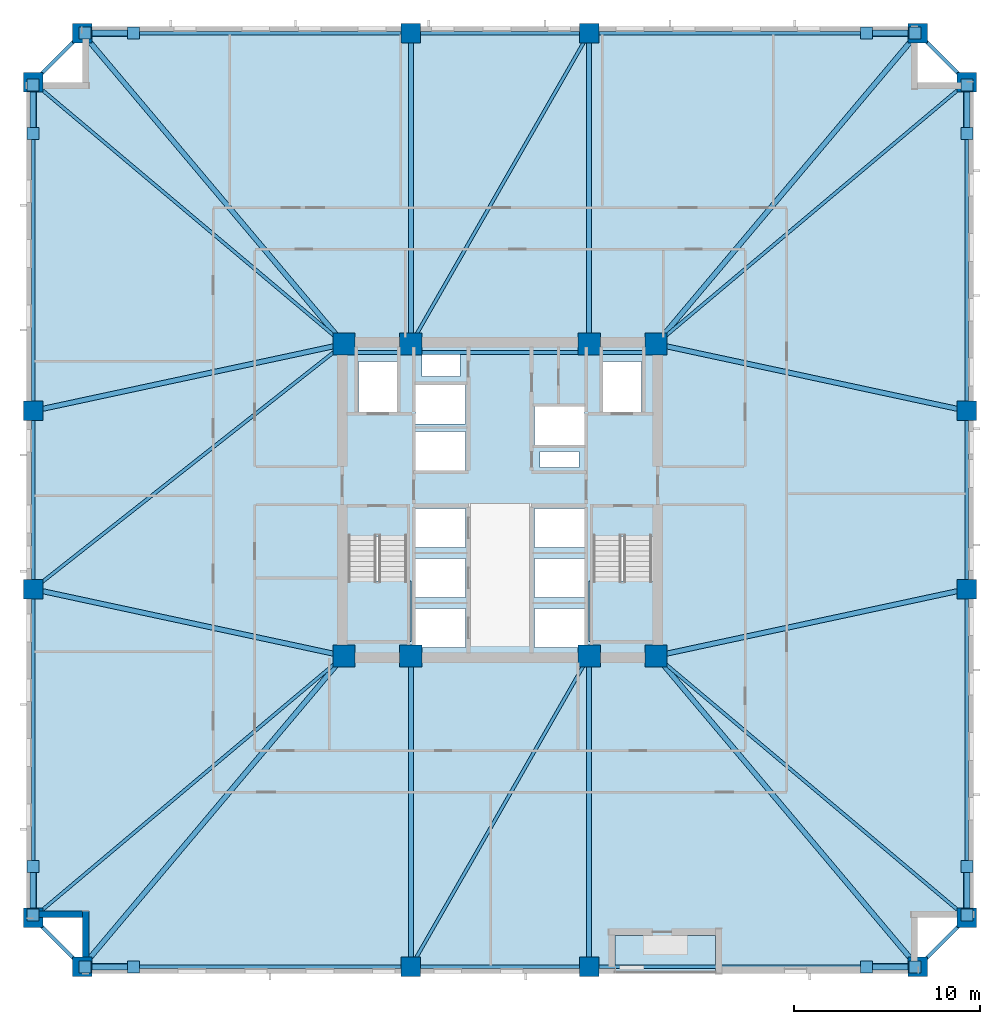
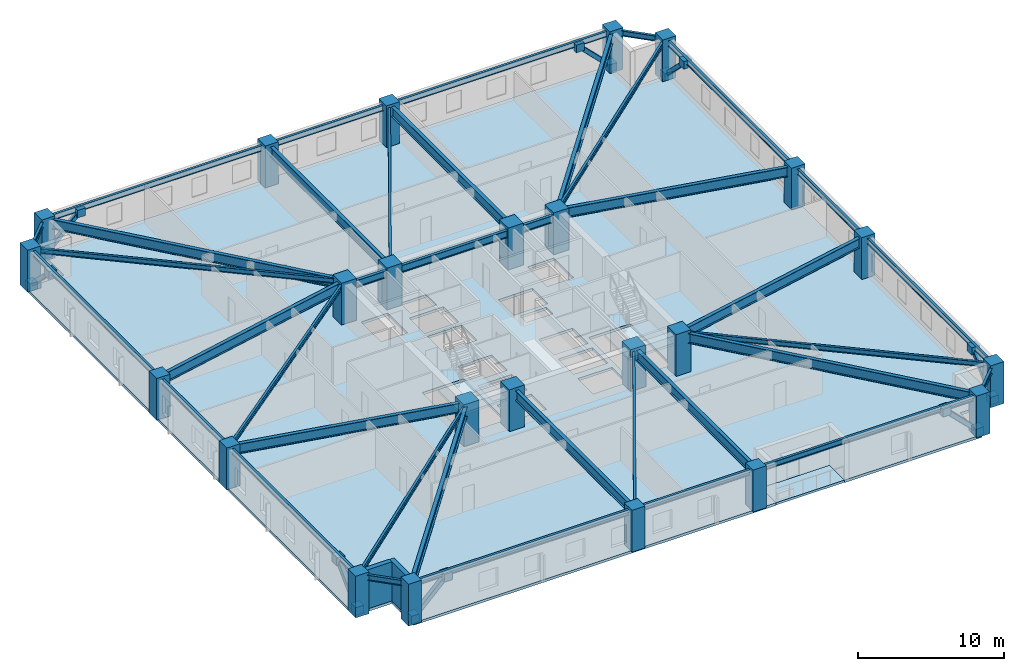
# One storey, part 1 of 11: 38 beams, 24 columns, 16 plates, 8 members, 4 slabs, 2 walls, 2 elements without a shape of their own.
"""IFC4 building model written with IfcOpenShell, lengths in metres."""

from ifc_helpers import new_model, si_unit, direction, frame, frame_2d, origin, origin_2d, place, context, subcontext, project, spatial, polyline, rectangle, hollow_rectangle, i_section, outline, extrude, material, layer, layer_set, material_profile, profile_set, type_object, element, aggregate, save


model = new_model("IFC4")

# Units and contexts
model_context = context("Model", 3, precision=1e-05, world=origin(), true_north=direction((0.0, 1.0)))
body_context = subcontext(model_context, "Body", "Model", "MODEL_VIEW")
ifc_project = project(units=[si_unit("LENGTHUNIT", "METRE"), si_unit("AREAUNIT", "SQUARE_METRE"), si_unit("VOLUMEUNIT", "CUBIC_METRE"), si_unit("PLANEANGLEUNIT", "RADIAN"), si_unit("MASSUNIT", "GRAM", prefix="KILO")], contexts=[model_context])

# Site, building, storey
site_placement = place(None, origin())
site = spatial("IfcSite", under=ifc_project, at=site_placement, CompositionType="ELEMENT")
building_placement = place(site_placement, origin())
building = spatial("IfcBuilding", under=site, at=building_placement, Name="Cairnveth Concourse Tower", CompositionType="ELEMENT")
storey_placement = place(building_placement, frame((0.0, 0.0, 48.0)))
storey = spatial("IfcBuildingStorey", under=building, at=storey_placement, Name="L12", CompositionType="ELEMENT", Elevation=48.0)

# Columns
ifc_material_1 = material(Name="Concrete N80 (80 MPa)", Category="concrete")
ifc_material_profile_1 = material_profile(ifc_material_1, rectangle(XDim=1.199951171875, YDim=1.199951171875, at=origin_2d()), Name="RC-COL-1200x1200")
ifc_profile_set_1 = profile_set([ifc_material_profile_1], Name="Concrete N80 (80 MPa)")
column_type_1 = type_object("IfcColumnType", Name="CORE COLUMN 1200X1200", PredefinedType="COLUMN", material=ifc_profile_set_1)
for number, where, z_axis, x_axis, name in (
    (1, (43.60009765625, 30.60009765625, 0.0), (0.0, 0.0, 1.0), (1.0, 0.0, 0.0), "Column CC1 L12"),
    (2, (47.199951171875, 30.60009765625, 0.0), (0.0, 0.0, 1.0), (1.0, 0.0, 0.0), "Column CC2 L12"),
    (3, (56.800048828125, 30.60009765625, 0.0), (0.0, 0.0, 1.0), (1.0, 0.0, 0.0), "Column CC3 L12"),
    (4, (60.39990234375, 30.60009765625, 0.0), (0.0, 0.0, 1.0), (1.0, 0.0, 0.0), "Column CC4 L12"),
    (5, (43.60009765625, 47.39990234375, 0.0), (0.0, 0.0, 1.0), (1.0, 0.0, 0.0), "Column CC5 L12"),
    (6, (47.199951171875, 47.39990234375, 0.0), (0.0, 0.0, 1.0), (1.0, 0.0, 0.0), "Column CC6 L12"),
    (7, (56.800048828125, 47.39990234375, 0.0), (0.0, 0.0, 1.0), (1.0, 0.0, 0.0), "Column CC7 L12"),
    (8, (60.39990234375, 47.39990234375, 0.0), (0.0, 0.0, 1.0), (1.0, 0.0, 0.0), "Column CC8 L12"),
):
    element("IfcColumn", number, at=place(storey_placement, frame(where, z_axis=z_axis, x_axis=x_axis)), inside=storey, type_object=column_type_1, Name=name, PredefinedType="COLUMN", context=body_context, shape_type="SweptSolid", body=[
        extrude(rectangle(XDim=1.199951171875, YDim=1.199951171875, at=origin_2d()), origin(), (0.0, 0.0, 1.0), 3.5),
    ])
ifc_material_2 = material(Name="Concrete N65 (65 MPa)", Category="concrete")
ifc_material_profile_2 = material_profile(ifc_material_2, rectangle(XDim=1.050048828125, YDim=1.050048828125, at=origin_2d()), Name="RC-COL-1050x1050")
ifc_profile_set_2 = profile_set([ifc_material_profile_2], Name="Concrete N65 (65 MPa)")
column_type_2 = type_object("IfcColumnType", Name="PERIMETER PIER COLUMN 1050X1050", PredefinedType="COLUMN", material=ifc_profile_set_2)
for number, where, z_axis, x_axis, name in (
    (9, (29.5, 13.85009765625, 0.0), (0.0, 0.0, 1.0), (1.0, 0.0, 0.0), "Column P-S1 L12"),
    (10, (47.199951171875, 13.85009765625, 0.0), (0.0, 0.0, 1.0), (1.0, 0.0, 0.0), "Column P-S2 L12"),
    (11, (56.800048828125, 13.85009765625, 0.0), (0.0, 0.0, 1.0), (1.0, 0.0, 0.0), "Column P-S3 L12"),
    (12, (74.5, 13.85009765625, 0.0), (0.0, 0.0, 1.0), (1.0, 0.0, 0.0), "Column P-S4 L12"),
    (13, (77.14990234375, 16.5, 0.0), (0.0, 0.0, 1.0), (0.0, 1.0, 0.0), "Column P-E1 L12"),
    (14, (77.14990234375, 34.199951171875, 0.0), (0.0, 0.0, 1.0), (0.0, 1.0, 0.0), "Column P-E2 L12"),
    (15, (77.14990234375, 43.800048828125, 0.0), (0.0, 0.0, 1.0), (0.0, 1.0, 0.0), "Column P-E3 L12"),
    (16, (77.14990234375, 61.5, 0.0), (0.0, 0.0, 1.0), (0.0, 1.0, 0.0), "Column P-E4 L12"),
    (17, (74.5, 64.14990234375, 0.0), (0.0, 0.0, 1.0), (1.0, 0.0, 0.0), "Column P-N1 L12"),
    (18, (56.800048828125, 64.14990234375, 0.0), (0.0, 0.0, 1.0), (1.0, 0.0, 0.0), "Column P-N2 L12"),
    (19, (47.199951171875, 64.14990234375, 0.0), (0.0, 0.0, 1.0), (1.0, 0.0, 0.0), "Column P-N3 L12"),
    (20, (29.5, 64.14990234375, 0.0), (0.0, 0.0, 1.0), (1.0, 0.0, 0.0), "Column P-N4 L12"),
    (21, (26.85009765625, 61.5, 0.0), (0.0, 0.0, 1.0), (0.0, 1.0, 0.0), "Column P-W1 L12"),
    (22, (26.85009765625, 43.800048828125, 0.0), (0.0, 0.0, 1.0), (0.0, 1.0, 0.0), "Column P-W2 L12"),
    (23, (26.85009765625, 34.199951171875, 0.0), (0.0, 0.0, 1.0), (0.0, 1.0, 0.0), "Column P-W3 L12"),
    (24, (26.85009765625, 16.5, 0.0), (0.0, 0.0, 1.0), (0.0, 1.0, 0.0), "Column P-W4 L12"),
):
    element("IfcColumn", number, at=place(storey_placement, frame(where, z_axis=z_axis, x_axis=x_axis)), inside=storey, type_object=column_type_2, Name=name, PredefinedType="COLUMN", context=body_context, shape_type="SweptSolid", body=[
        extrude(rectangle(XDim=1.050048828125, YDim=1.050048828125, at=origin_2d()), origin(), (0.0, 0.0, 1.0), 3.5),
    ])

# Beams
ifc_material_3 = material(Name="Steel Grade 350", Category="steel")
ifc_material_profile_3 = material_profile(ifc_material_3, i_section(OverallWidth=0.22802734375, OverallDepth=0.60693359375, WebThickness=0.01123046875, FlangeThickness=0.017333984375, FilletRadius=0.013916015625, at=origin_2d()), Name="610UB113")
ifc_profile_set_3 = profile_set([ifc_material_profile_3], Name="Steel Grade 350")
beam_type_1 = type_object("IfcBeamType", Name="CORE TIE BEAM 610UB113", PredefinedType="T_BEAM", material=ifc_profile_set_3)
for number, where, z_axis, x_axis, name in (
    (25, (43.60009765625, 46.949951171875, 2.9765625), (1.0, 0.0, 0.0), (0.0, 1.0, 0.0), "Beam CT-N1 L12"),
    (26, (56.800048828125, 46.949951171875, 2.9765625), (1.0, 0.0, 0.0), (0.0, 1.0, 0.0), "Beam CT-N3 L12"),
):
    element("IfcBeam", number, at=place(storey_placement, frame(where, z_axis=z_axis, x_axis=x_axis)), inside=storey, type_object=beam_type_1, Name=name, PredefinedType="T_BEAM", context=body_context, shape_type="SweptSolid", body=[
        extrude(i_section(OverallWidth=0.22802734375, OverallDepth=0.60693359375, WebThickness=0.01123046875, FlangeThickness=0.017333984375, FilletRadius=0.013916015625, at=origin_2d()), origin(), (0.0, 0.0, 1.0), 3.599853515625),
    ])
beam_1_placement = place(storey_placement, frame((47.199951171875, 46.949951171875, 2.9765625), z_axis=(1.0, 0.0, 0.0), x_axis=(0.0, 1.0, 0.0)))
element("IfcBeam", 27, at=beam_1_placement, inside=storey, type_object=beam_type_1, Name="Beam CT-N2 L12", PredefinedType="T_BEAM", context=body_context, shape_type="SweptSolid", body=[
    extrude(i_section(OverallWidth=0.22802734375, OverallDepth=0.60693359375, WebThickness=0.01123046875, FlangeThickness=0.017333984375, FilletRadius=0.013916015625, at=origin_2d()), origin(), (0.0, 0.0, 1.0), 9.60009765625),
])
ifc_material_profile_4 = material_profile(ifc_material_3, i_section(OverallWidth=0.177978515625, OverallDepth=0.406005859375, WebThickness=0.0078125, FlangeThickness=0.0126953125, FilletRadius=0.010986328125, at=origin_2d()), Name="410UB59.7")
ifc_profile_set_4 = profile_set([ifc_material_profile_4], Name="Steel Grade 350")
beam_type_2 = type_object("IfcBeamType", Name="ZONE 1 FLOOR JOIST 410UB59.7", PredefinedType="JOIST", material=ifc_profile_set_4)
for number, where, z_axis, x_axis, name in (
    (28, (26.85009765625, 16.5, 3.076904296875), (0.765027427674, 0.643997697905, 0.0), (-0.643997697905, 0.765027427674, 0.0), "Beam FJ-CSW2 L12"),
    (29, (77.14990234375, 16.5, 3.076904296875), (-0.765027427674, 0.643997697905, 0.0), (-0.643997697905, -0.765027427674, 0.0), "Beam FJ-CSE2 L12"),
    (30, (77.14990234375, 61.5, 3.076904296875), (-0.765027427674, -0.643997697905, 0.0), (0.643997697905, -0.765027427674, 0.0), "Beam FJ-CNE2 L12"),
    (31, (26.85009765625, 61.5, 3.076904296875), (0.765027427674, -0.643997697905, 0.0), (0.643997697905, 0.765027427674, 0.0), "Beam FJ-CNW2 L12"),
):
    element("IfcBeam", number, at=place(storey_placement, frame(where, z_axis=z_axis, x_axis=x_axis)), inside=storey, type_object=beam_type_2, Name=name, PredefinedType="JOIST", context=body_context, shape_type="SweptSolid", body=[
        extrude(i_section(OverallWidth=0.177978515625, OverallDepth=0.406005859375, WebThickness=0.0078125, FlangeThickness=0.0126953125, FilletRadius=0.010986328125, at=origin_2d()), origin(), (0.0, 0.0, 1.0), 21.89453125),
    ])
for number, where, z_axis, x_axis, name in (
    (32, (47.199951171875, 13.85009765625, 3.076904296875), (0.497257970706, 0.86760273776, 0.0), (-0.86760273776, 0.497257970706, 0.0), "Beam FJ-S-M1 L12"),
    (33, (47.199951171875, 47.39990234375, 3.076904296875), (0.497257970706, 0.86760273776, 0.0), (-0.86760273776, 0.497257970706, 0.0), "Beam FJ-N-M1 L12"),
):
    element("IfcBeam", number, at=place(storey_placement, frame(where, z_axis=z_axis, x_axis=x_axis)), inside=storey, type_object=beam_type_2, Name=name, PredefinedType="JOIST", context=body_context, shape_type="SweptSolid", body=[
        extrude(i_section(OverallWidth=0.177978515625, OverallDepth=0.406005859375, WebThickness=0.0078125, FlangeThickness=0.0126953125, FilletRadius=0.010986328125, at=origin_2d()), origin(), (0.0, 0.0, 1.0), 19.30615234375),
    ])
beam_2_placement = place(storey_placement, frame((26.85009765625, 34.199951171875, 3.076904296875), z_axis=(0.785423705995, 0.618958481694, 0.0), x_axis=(-0.618958481694, 0.785423705995, 0.0)))
element("IfcBeam", 34, at=beam_2_placement, inside=storey, type_object=beam_type_2, Name="Beam FJ-W-M1 L12", PredefinedType="JOIST", context=body_context, shape_type="SweptSolid", body=[
    extrude(i_section(OverallWidth=0.177978515625, OverallDepth=0.406005859375, WebThickness=0.0078125, FlangeThickness=0.0126953125, FilletRadius=0.010986328125, at=origin_2d()), origin(), (0.0, 0.0, 1.0), 21.326171875),
])

# Members
ifc_material_4 = material(Name="Steel C350L0 (350 MPa)", Category="steel")
ifc_material_profile_5 = material_profile(ifc_material_4, hollow_rectangle(XDim=0.35009765625, YDim=0.35009765625, WallThickness=0.01611328125, InnerFilletRadius=0.01611328125, OuterFilletRadius=0.031982421875, at=origin_2d()), Name="350x350x16.0SHS")
ifc_profile_set_5 = profile_set([ifc_material_profile_5], Name="Steel C350L0 (350 MPa)")
member_type = type_object("IfcMemberType", Name="ZONE 1 PIER BRACE 350X350X16SHS", PredefinedType="BRACE", material=ifc_profile_set_5)
for number, where, z_axis, x_axis, name in (
    (35, (29.64990234375, 13.85009765625, 0.25), (0.709834195787, 0.0, 0.704368805735), (0.0, 1.0, 0.0), "Structural Brace PB-S1 L12"),
    (36, (74.35009765625, 13.85009765625, 0.25), (-0.709834195787, 0.0, 0.704368805735), (0.0, -1.0, 0.0), "Structural Brace PB-S2 L12"),
    (37, (29.64990234375, 64.14990234375, 0.25), (0.709834195787, 0.0, 0.704368805735), (0.0, 1.0, 0.0), "Structural Brace PB-N1 L12"),
    (38, (74.35009765625, 64.14990234375, 0.25), (-0.709834195787, 0.0, 0.704368805735), (0.0, -1.0, 0.0), "Structural Brace PB-N2 L12"),
    (39, (26.85009765625, 16.64990234375, 0.25), (0.0, 0.709834195787, 0.704368805735), (-1.0, 0.0, 0.0), "Structural Brace PB-W1 L12"),
    (40, (26.85009765625, 61.35009765625, 0.25), (0.0, -0.709834195787, 0.704368805735), (1.0, 0.0, 0.0), "Structural Brace PB-W2 L12"),
    (41, (77.14990234375, 16.64990234375, 0.25), (0.0, 0.709834195787, 0.704368805735), (-1.0, 0.0, 0.0), "Structural Brace PB-E1 L12"),
    (42, (77.14990234375, 61.35009765625, 0.25), (0.0, -0.709834195787, 0.704368805735), (1.0, 0.0, 0.0), "Structural Brace PB-E2 L12"),
):
    element("IfcMember", number, at=place(storey_placement, frame(where, z_axis=z_axis, x_axis=x_axis)), inside=storey, type_object=member_type, Name=name, PredefinedType="BRACE", context=body_context, shape_type="SweptSolid", body=[
        extrude(hollow_rectangle(XDim=0.35009765625, YDim=0.35009765625, WallThickness=0.01611328125, InnerFilletRadius=0.01611328125, OuterFilletRadius=0.031982421875, at=origin_2d()), origin(), (0.0, 0.0, 1.0), 3.6630859375),
    ])

# Beams
ifc_material_profile_6 = material_profile(ifc_material_3, i_section(OverallWidth=0.27490234375, OverallDepth=0.81591796875, WebThickness=0.011962890625, FlangeThickness=0.028076171875, at=origin_2d()), Name="800WB192")
ifc_profile_set_6 = profile_set([ifc_material_profile_6], Name="Steel Grade 350")
beam_type_3 = type_object("IfcBeamType", Name="ZONE 1 RADIAL GIRDER 800WB192", PredefinedType="BEAM", material=ifc_profile_set_6)
for number, where, z_axis, x_axis, name in (
    (43, (47.199951171875, 13.85009765625, 2.8720703125), (0.0, 1.0, 0.0), (-1.0, 0.0, 0.0), "Beam RG-S1 L12"),
    (44, (56.800048828125, 13.85009765625, 2.8720703125), (0.0, 1.0, 0.0), (-1.0, 0.0, 0.0), "Beam RG-S2 L12"),
    (45, (47.199951171875, 47.39990234375, 2.8720703125), (0.0, 1.0, 0.0), (-1.0, 0.0, 0.0), "Beam RG-N1 L12"),
    (46, (56.800048828125, 47.39990234375, 2.8720703125), (0.0, 1.0, 0.0), (-1.0, 0.0, 0.0), "Beam RG-N2 L12"),
):
    element("IfcBeam", number, at=place(storey_placement, frame(where, z_axis=z_axis, x_axis=x_axis)), inside=storey, type_object=beam_type_3, Name=name, PredefinedType="BEAM", context=body_context, shape_type="SweptSolid", body=[
        extrude(i_section(OverallWidth=0.27490234375, OverallDepth=0.81591796875, WebThickness=0.011962890625, FlangeThickness=0.028076171875, at=origin_2d()), origin(), (0.0, 0.0, 1.0), 16.75),
    ])
for number, where, z_axis, x_axis, name in (
    (47, (26.85009765625, 34.199951171875, 2.8720703125), (0.977675861524, -0.210118799239, 0.0), (0.210118799239, 0.977675861524, 0.0), "Beam RG-W1 L12"),
    (48, (26.85009765625, 43.800048828125, 2.8720703125), (0.977675861524, 0.210118799239, 0.0), (-0.210118799239, 0.977675861524, 0.0), "Beam RG-W2 L12"),
    (49, (60.39990234375, 30.60009765625, 2.8720703125), (0.977675861524, 0.210118799239, 0.0), (-0.210118799239, 0.977675861524, 0.0), "Beam RG-E1 L12"),
    (50, (60.39990234375, 47.39990234375, 2.8720703125), (0.977675861524, -0.210118799239, 0.0), (0.210118799239, 0.977675861524, 0.0), "Beam RG-E2 L12"),
):
    element("IfcBeam", number, at=place(storey_placement, frame(where, z_axis=z_axis, x_axis=x_axis)), inside=storey, type_object=beam_type_3, Name=name, PredefinedType="BEAM", context=body_context, shape_type="SweptSolid", body=[
        extrude(i_section(OverallWidth=0.27490234375, OverallDepth=0.81591796875, WebThickness=0.011962890625, FlangeThickness=0.028076171875, at=origin_2d()), origin(), (0.0, 0.0, 1.0), 17.132568359375),
    ])
for number, where, z_axis, x_axis, name in (
    (51, (29.5, 13.85009765625, 2.8720703125), (0.643997697905, 0.765027427674, 0.0), (-0.765027427674, 0.643997697905, 0.0), "Beam RG-CSW L12"),
    (52, (74.5, 13.85009765625, 2.8720703125), (-0.643997697905, 0.765027427674, 0.0), (-0.765027427674, -0.643997697905, 0.0), "Beam RG-CSE L12"),
    (53, (74.5, 64.14990234375, 2.8720703125), (-0.643997697905, -0.765027427674, 0.0), (0.765027427674, -0.643997697905, 0.0), "Beam RG-CNE L12"),
    (54, (29.5, 64.14990234375, 2.8720703125), (0.643997697905, -0.765027427674, 0.0), (0.765027427674, 0.643997697905, 0.0), "Beam RG-CNW L12"),
):
    element("IfcBeam", number, at=place(storey_placement, frame(where, z_axis=z_axis, x_axis=x_axis)), inside=storey, type_object=beam_type_3, Name=name, PredefinedType="BEAM", context=body_context, shape_type="SweptSolid", body=[
        extrude(i_section(OverallWidth=0.27490234375, OverallDepth=0.81591796875, WebThickness=0.011962890625, FlangeThickness=0.028076171875, at=origin_2d()), origin(), (0.0, 0.0, 1.0), 21.89453125),
    ])
ifc_material_profile_7 = material_profile(ifc_material_3, i_section(OverallWidth=0.19091796875, OverallDepth=0.4599609375, WebThickness=0.010009765625, FlangeThickness=0.01611328125, FilletRadius=0.010986328125, at=origin_2d()), Name="460UB82.1")
ifc_profile_set_7 = profile_set([ifc_material_profile_7], Name="Steel Grade 350")
beam_type_4 = type_object("IfcBeamType", Name="ZONE 1 SPANDREL BEAM 460UB82.1", PredefinedType="SPANDREL", material=ifc_profile_set_7)
beam_3_placement = place(storey_placement, frame((29.5, 13.85009765625, 3.050048828125), z_axis=(1.0, 0.0, 0.0), x_axis=(0.0, 1.0, 0.0)))
element("IfcBeam", 55, at=beam_3_placement, inside=storey, type_object=beam_type_4, Name="Beam SP-S1 L12", PredefinedType="SPANDREL", context=body_context, shape_type="SweptSolid", body=[
    extrude(i_section(OverallWidth=0.19091796875, OverallDepth=0.4599609375, WebThickness=0.010009765625, FlangeThickness=0.01611328125, FilletRadius=0.010986328125, at=origin_2d()), origin(), (0.0, 0.0, 1.0), 17.699951171875),
])
beam_4_placement = place(storey_placement, frame((47.199951171875, 13.85009765625, 3.050048828125), z_axis=(1.0, 0.0, 0.0), x_axis=(0.0, 1.0, 0.0)))
element("IfcBeam", 56, at=beam_4_placement, inside=storey, type_object=beam_type_4, Name="Beam SP-S2 L12", PredefinedType="SPANDREL", context=body_context, shape_type="SweptSolid", body=[
    extrude(i_section(OverallWidth=0.19091796875, OverallDepth=0.4599609375, WebThickness=0.010009765625, FlangeThickness=0.01611328125, FilletRadius=0.010986328125, at=origin_2d()), origin(), (0.0, 0.0, 1.0), 9.60009765625),
])
for number, where, z_axis, x_axis, name in (
    (57, (56.800048828125, 13.85009765625, 3.050048828125), (1.0, 0.0, 0.0), (0.0, 1.0, 0.0), "Beam SP-S3 L12"),
    (58, (29.5, 64.14990234375, 3.050048828125), (1.0, 0.0, 0.0), (0.0, 1.0, 0.0), "Beam SP-N1 L12"),
):
    element("IfcBeam", number, at=place(storey_placement, frame(where, z_axis=z_axis, x_axis=x_axis)), inside=storey, type_object=beam_type_4, Name=name, PredefinedType="SPANDREL", context=body_context, shape_type="SweptSolid", body=[
        extrude(i_section(OverallWidth=0.19091796875, OverallDepth=0.4599609375, WebThickness=0.010009765625, FlangeThickness=0.01611328125, FilletRadius=0.010986328125, at=origin_2d()), origin(), (0.0, 0.0, 1.0), 17.699951171875),
    ])
beam_5_placement = place(storey_placement, frame((47.199951171875, 64.14990234375, 3.050048828125), z_axis=(1.0, 0.0, 0.0), x_axis=(0.0, 1.0, 0.0)))
element("IfcBeam", 59, at=beam_5_placement, inside=storey, type_object=beam_type_4, Name="Beam SP-N2 L12", PredefinedType="SPANDREL", context=body_context, shape_type="SweptSolid", body=[
    extrude(i_section(OverallWidth=0.19091796875, OverallDepth=0.4599609375, WebThickness=0.010009765625, FlangeThickness=0.01611328125, FilletRadius=0.010986328125, at=origin_2d()), origin(), (0.0, 0.0, 1.0), 9.60009765625),
])
for number, where, z_axis, x_axis, name in (
    (60, (56.800048828125, 64.14990234375, 3.050048828125), (1.0, 0.0, 0.0), (0.0, 1.0, 0.0), "Beam SP-N3 L12"),
    (61, (26.85009765625, 16.5, 3.050048828125), (0.0, 1.0, 0.0), (-1.0, 0.0, 0.0), "Beam SP-W1 L12"),
):
    element("IfcBeam", number, at=place(storey_placement, frame(where, z_axis=z_axis, x_axis=x_axis)), inside=storey, type_object=beam_type_4, Name=name, PredefinedType="SPANDREL", context=body_context, shape_type="SweptSolid", body=[
        extrude(i_section(OverallWidth=0.19091796875, OverallDepth=0.4599609375, WebThickness=0.010009765625, FlangeThickness=0.01611328125, FilletRadius=0.010986328125, at=origin_2d()), origin(), (0.0, 0.0, 1.0), 17.699951171875),
    ])
beam_6_placement = place(storey_placement, frame((26.85009765625, 34.199951171875, 3.050048828125), z_axis=(0.0, 1.0, 0.0), x_axis=(-1.0, 0.0, 0.0)))
element("IfcBeam", 62, at=beam_6_placement, inside=storey, type_object=beam_type_4, Name="Beam SP-W2 L12", PredefinedType="SPANDREL", context=body_context, shape_type="SweptSolid", body=[
    extrude(i_section(OverallWidth=0.19091796875, OverallDepth=0.4599609375, WebThickness=0.010009765625, FlangeThickness=0.01611328125, FilletRadius=0.010986328125, at=origin_2d()), origin(), (0.0, 0.0, 1.0), 9.60009765625),
])
for number, where, z_axis, x_axis, name in (
    (63, (26.85009765625, 43.800048828125, 3.050048828125), (0.0, 1.0, 0.0), (-1.0, 0.0, 0.0), "Beam SP-W3 L12"),
    (64, (77.14990234375, 16.5, 3.050048828125), (0.0, 1.0, 0.0), (-1.0, 0.0, 0.0), "Beam SP-E1 L12"),
):
    element("IfcBeam", number, at=place(storey_placement, frame(where, z_axis=z_axis, x_axis=x_axis)), inside=storey, type_object=beam_type_4, Name=name, PredefinedType="SPANDREL", context=body_context, shape_type="SweptSolid", body=[
        extrude(i_section(OverallWidth=0.19091796875, OverallDepth=0.4599609375, WebThickness=0.010009765625, FlangeThickness=0.01611328125, FilletRadius=0.010986328125, at=origin_2d()), origin(), (0.0, 0.0, 1.0), 17.699951171875),
    ])
beam_7_placement = place(storey_placement, frame((77.14990234375, 34.199951171875, 3.050048828125), z_axis=(0.0, 1.0, 0.0), x_axis=(-1.0, 0.0, 0.0)))
element("IfcBeam", 65, at=beam_7_placement, inside=storey, type_object=beam_type_4, Name="Beam SP-E2 L12", PredefinedType="SPANDREL", context=body_context, shape_type="SweptSolid", body=[
    extrude(i_section(OverallWidth=0.19091796875, OverallDepth=0.4599609375, WebThickness=0.010009765625, FlangeThickness=0.01611328125, FilletRadius=0.010986328125, at=origin_2d()), origin(), (0.0, 0.0, 1.0), 9.60009765625),
])
beam_8_placement = place(storey_placement, frame((77.14990234375, 43.800048828125, 3.050048828125), z_axis=(0.0, 1.0, 0.0), x_axis=(-1.0, 0.0, 0.0)))
element("IfcBeam", 66, at=beam_8_placement, inside=storey, type_object=beam_type_4, Name="Beam SP-E3 L12", PredefinedType="SPANDREL", context=body_context, shape_type="SweptSolid", body=[
    extrude(i_section(OverallWidth=0.19091796875, OverallDepth=0.4599609375, WebThickness=0.010009765625, FlangeThickness=0.01611328125, FilletRadius=0.010986328125, at=origin_2d()), origin(), (0.0, 0.0, 1.0), 17.699951171875),
])
for number, where, z_axis, x_axis, name in (
    (67, (26.85009765625, 16.5, 3.050048828125), (0.707106781187, -0.707106781187, 0.0), (0.707106781187, 0.707106781187, 0.0), "Beam SP-SW L12"),
    (68, (74.5, 13.85009765625, 3.050048828125), (0.707106781187, 0.707106781187, 0.0), (-0.707106781187, 0.707106781187, 0.0), "Beam SP-SE L12"),
    (69, (74.5, 64.14990234375, 3.050048828125), (0.707106781187, -0.707106781187, 0.0), (0.707106781187, 0.707106781187, 0.0), "Beam SP-NE L12"),
    (70, (26.85009765625, 61.5, 3.050048828125), (0.707106781187, 0.707106781187, 0.0), (-0.707106781187, 0.707106781187, 0.0), "Beam SP-NW L12"),
):
    element("IfcBeam", number, at=place(storey_placement, frame(where, z_axis=z_axis, x_axis=x_axis)), inside=storey, type_object=beam_type_4, Name=name, PredefinedType="SPANDREL", context=body_context, shape_type="SweptSolid", body=[
        extrude(i_section(OverallWidth=0.19091796875, OverallDepth=0.4599609375, WebThickness=0.010009765625, FlangeThickness=0.01611328125, FilletRadius=0.010986328125, at=origin_2d()), origin(), (0.0, 0.0, 1.0), 3.74755859375),
    ])

# Slab
ifc_material_5 = material(Name="Concrete N50 (50 MPa)", Category="concrete")
ifc_layer_1 = layer(ifc_material_5, 0.219970703125)
ifc_layer_set_1 = layer_set([ifc_layer_1], Name="Concrete N50 (50 MPa)")
slab_type_1 = type_object("IfcSlabType", Name="LOWER TOWER COMPOSITE SLAB 220", PredefinedType="FLOOR", material=ifc_layer_set_1)
slab_1_placement = place(storey_placement, frame((0.0, 0.0, -0.219970703125)))
element("IfcSlab", 71, at=slab_1_placement, inside=storey, type_object=slab_type_1, Name="Tower Floor Slab L12", PredefinedType="FLOOR", context=body_context, shape_type="SweptSolid", body=[
    extrude(outline(polyline([(58.199951171875, 13.5), (58.199951171875, 15.550048828125), (63.60009765625, 15.550048828125), (63.60009765625, 13.5), (74.5, 13.5), (74.5, 16.5), (77.5, 16.5), (77.5, 61.5), (74.5, 61.5), (74.5, 64.5), (29.5, 64.5), (29.5, 61.5), (26.5, 61.5), (26.5, 16.5), (29.5, 16.5), (29.5, 13.5), (58.199951171875, 13.5)]), holes=[polyline([(43.760009765625, 31.360107421875), (47.06005859375, 31.360107421875), (47.06005859375, 37.0400390625), (43.760009765625, 37.0400390625), (43.760009765625, 31.360107421875)]), polyline([(56.93994140625, 31.360107421875), (60.239990234375, 31.360107421875), (60.239990234375, 37.0400390625), (56.93994140625, 37.0400390625), (56.93994140625, 31.360107421875)]), polyline([(44.3701171875, 43.75), (46.469970703125, 43.75), (46.469970703125, 46.449951171875), (44.3701171875, 46.449951171875), (44.3701171875, 43.75)]), polyline([(57.530029296875, 43.75), (59.6298828125, 43.75), (59.6298828125, 46.449951171875), (57.530029296875, 46.449951171875), (57.530029296875, 43.75)]), polyline([(47.449951171875, 31.050048828125), (50.14990234375, 31.050048828125), (50.14990234375, 33.14990234375), (47.449951171875, 33.14990234375), (47.449951171875, 31.050048828125)]), polyline([(47.449951171875, 33.75), (50.14990234375, 33.75), (50.14990234375, 35.85009765625), (47.449951171875, 35.85009765625), (47.449951171875, 33.75)]), polyline([(47.449951171875, 36.449951171875), (50.14990234375, 36.449951171875), (50.14990234375, 38.550048828125), (47.449951171875, 38.550048828125), (47.449951171875, 36.449951171875)]), polyline([(53.85009765625, 31.050048828125), (56.550048828125, 31.050048828125), (56.550048828125, 33.14990234375), (53.85009765625, 33.14990234375), (53.85009765625, 31.050048828125)]), polyline([(53.85009765625, 33.75), (56.550048828125, 33.75), (56.550048828125, 35.85009765625), (53.85009765625, 35.85009765625), (53.85009765625, 33.75)]), polyline([(53.85009765625, 36.449951171875), (56.550048828125, 36.449951171875), (56.550048828125, 38.550048828125), (53.85009765625, 38.550048828125), (53.85009765625, 36.449951171875)]), polyline([(47.449951171875, 40.60009765625), (50.14990234375, 40.60009765625), (50.14990234375, 42.699951171875), (47.449951171875, 42.699951171875), (47.449951171875, 40.60009765625)]), polyline([(47.449951171875, 43.10009765625), (50.14990234375, 43.10009765625), (50.14990234375, 45.199951171875), (47.449951171875, 45.199951171875), (47.449951171875, 43.10009765625)]), polyline([(53.85009765625, 41.949951171875), (56.550048828125, 41.949951171875), (56.550048828125, 44.050048828125), (53.85009765625, 44.050048828125), (53.85009765625, 41.949951171875)]), polyline([(47.800048828125, 45.64990234375), (49.85009765625, 45.64990234375), (49.85009765625, 47.050048828125), (47.800048828125, 47.050048828125), (47.800048828125, 45.64990234375)]), polyline([(54.14990234375, 40.75), (56.25, 40.75), (56.25, 41.6201171875), (54.14990234375, 41.6201171875), (54.14990234375, 40.75)])]), origin(), (0.0, 0.0, 1.0), 0.219970703125),
])

# Plates
ifc_layer_2 = layer(ifc_material_3, 0.031982421875)
ifc_layer_set_2 = layer_set([ifc_layer_2], Name="Steel Grade 350")
plate_type = type_object("IfcPlateType", Name="PERIMETER BRACE GUSSET PLATE 32", PredefinedType="USERDEFINED", material=ifc_layer_set_2)
for number, where, z_axis, x_axis, name in (
    (72, (29.64990234375, 13.85009765625, -0.06982421875), (0.0, 0.0, 1.0), (1.0, 0.0, 0.0), "Structural Node Plate 0173 L12"),
    (73, (32.25, 13.85009765625, 2.51025390625), (0.0, 0.0, 1.0), (1.0, 0.0, 0.0), "Structural Node Plate 0174 L12"),
    (74, (74.35009765625, 13.85009765625, -0.06982421875), (0.0, 0.0, 1.0), (1.0, 0.0, 0.0), "Structural Node Plate 0175 L12"),
    (75, (71.75, 13.85009765625, 2.51025390625), (0.0, 0.0, 1.0), (1.0, 0.0, 0.0), "Structural Node Plate 0176 L12"),
    (76, (29.64990234375, 64.14990234375, -0.06982421875), (0.0, 0.0, 1.0), (1.0, 0.0, 0.0), "Structural Node Plate 0177 L12"),
    (77, (32.25, 64.14990234375, 2.51025390625), (0.0, 0.0, 1.0), (1.0, 0.0, 0.0), "Structural Node Plate 0178 L12"),
    (78, (74.35009765625, 64.14990234375, -0.06982421875), (0.0, 0.0, 1.0), (1.0, 0.0, 0.0), "Structural Node Plate 0179 L12"),
    (79, (71.75, 64.14990234375, 2.51025390625), (0.0, 0.0, 1.0), (1.0, 0.0, 0.0), "Structural Node Plate 0180 L12"),
    (80, (26.85009765625, 16.64990234375, -0.06982421875), (0.0, 0.0, 1.0), (1.0, 0.0, 0.0), "Structural Node Plate 0181 L12"),
    (81, (26.85009765625, 19.25, 2.51025390625), (0.0, 0.0, 1.0), (1.0, 0.0, 0.0), "Structural Node Plate 0182 L12"),
    (82, (26.85009765625, 61.35009765625, -0.06982421875), (0.0, 0.0, 1.0), (1.0, 0.0, 0.0), "Structural Node Plate 0183 L12"),
    (83, (26.85009765625, 58.75, 2.51025390625), (0.0, 0.0, 1.0), (1.0, 0.0, 0.0), "Structural Node Plate 0184 L12"),
    (84, (77.14990234375, 16.64990234375, -0.06982421875), (0.0, 0.0, 1.0), (1.0, 0.0, 0.0), "Structural Node Plate 0185 L12"),
    (85, (77.14990234375, 19.25, 2.51025390625), (0.0, 0.0, 1.0), (1.0, 0.0, 0.0), "Structural Node Plate 0186 L12"),
    (86, (77.14990234375, 61.35009765625, -0.06982421875), (0.0, 0.0, 1.0), (1.0, 0.0, 0.0), "Structural Node Plate 0187 L12"),
    (87, (77.14990234375, 58.75, 2.51025390625), (0.0, 0.0, 1.0), (1.0, 0.0, 0.0), "Structural Node Plate 0188 L12"),
):
    element("IfcPlate", number, at=place(storey_placement, frame(where, z_axis=z_axis, x_axis=x_axis)), inside=storey, type_object=plate_type, Name=name, ObjectType="GUSSET PLATE", PredefinedType="USERDEFINED", context=body_context, shape_type="SweptSolid", body=[
        extrude(rectangle(XDim=0.639892578125, YDim=0.639892578125, at=origin_2d()), origin(), (0.0, 0.0, 1.0), 0.639892578125),
    ])

# Slab
ifc_layer_3 = layer(ifc_material_5, 0.18994140625)
ifc_layer_set_3 = layer_set([ifc_layer_3], Name="Concrete N50 (50 MPa)")
slab_type_2 = type_object("IfcSlabType", Name="SPIRAL OUTDOOR TERRACE SLAB 190", PredefinedType="FLOOR", material=ifc_layer_set_3)
slab_2_placement = place(storey_placement, frame((0.0, 0.0, -0.18994140625)))
element("IfcSlab", 88, at=slab_2_placement, inside=storey, type_object=slab_type_2, Name="Spiral Terrace Slab L12", PredefinedType="FLOOR", context=body_context, shape_type="SweptSolid", body=[
    extrude(outline(polyline([(58.199951171875, 13.5), (63.60009765625, 13.5), (63.60009765625, 15.550048828125), (58.199951171875, 15.550048828125), (58.199951171875, 13.5)])), origin(), (0.0, 0.0, 1.0), 0.18994140625),
])

# Stair, slab
ifc_material_6 = material(Name="Precast concrete N50 (50 MPa)", Category="concrete")
stair_type = type_object("IfcStairType", Name="CORE DOG-LEG FIRE STAIR 1500", PredefinedType="HALF_TURN_STAIR", material=ifc_material_6)
stair_1_placement = place(storey_placement, origin())
stair_1 = element("IfcStair", 89, at=stair_1_placement, inside=storey, type_object=stair_type, Name="L12 Fire-Isolated Stair ST-1", PredefinedType="HALF_TURN_STAIR")
ifc_layer_4 = layer(ifc_material_5, 0.199951171875)
ifc_layer_set_4 = layer_set([ifc_layer_4], Name="Concrete N50 (50 MPa)")
slab_type_3 = type_object("IfcSlabType", Name="STAIR HALF LANDING SLAB 200", PredefinedType="LANDING", material=ifc_layer_set_4)
slab_3_placement = place(storey_placement, frame((0.0, 0.0, 1.550048828125)))
slab_3 = element("IfcSlab", 90, at=slab_3_placement, type_object=slab_type_3, Name="ST-1 landing 1", PredefinedType="LANDING", context=body_context, shape_type="SweptSolid", body=[
    extrude(outline(polyline([(43.6201171875, 34.639892578125), (43.6201171875, 31.3701171875), (47.199951171875, 31.3701171875), (47.199951171875, 34.639892578125), (43.6201171875, 34.639892578125)])), origin(), (0.0, 0.0, 1.0), 0.199951171875),
])
aggregate(stair_1, [slab_3])

stair_2_placement = place(storey_placement, origin())
stair_2 = element("IfcStair", 91, at=stair_2_placement, inside=storey, type_object=stair_type, Name="L12 Fire-Isolated Stair ST-2", PredefinedType="HALF_TURN_STAIR")
slab_4_placement = place(storey_placement, frame((0.0, 0.0, 1.550048828125)))
slab_4 = element("IfcSlab", 92, at=slab_4_placement, type_object=slab_type_3, Name="ST-2 landing 1", PredefinedType="LANDING", context=body_context, shape_type="SweptSolid", body=[
    extrude(outline(polyline([(56.800048828125, 34.639892578125), (56.800048828125, 31.3701171875), (60.3798828125, 31.3701171875), (60.3798828125, 34.639892578125), (56.800048828125, 34.639892578125)])), origin(), (0.0, 0.0, 1.0), 0.199951171875),
])
aggregate(stair_2, [slab_4])

# Walls
ifc_material_7 = material(Name="Hawthorn Red-Ochre Fired Clay Brick Masonry", Category="masonry")
ifc_layer_5 = layer(ifc_material_7, 0.360107421875)
ifc_layer_set_5 = layer_set([ifc_layer_5], Name="Hawthorn Red-Ochre Fired Clay Brick Masonry")
wall_type = type_object("IfcWallType", Name="ZONE 1 BRICK PIER SPANDREL WALL 360", PredefinedType="SOLIDWALL", material=ifc_layer_set_5)
wall_1_placement = place(storey_placement, frame((29.679931640625, 13.5, 0.0), z_axis=(0.0, 0.0, 1.0), x_axis=(0.0, 1.0, 0.0)))
element("IfcWall", 93, at=wall_1_placement, inside=storey, type_object=wall_type, Name="Exterior Wall EW-L12-S01", PredefinedType="SOLIDWALL", context=body_context, shape_type="SweptSolid", body=[
    extrude(rectangle(XDim=3.360107421875, YDim=0.360107421875, at=frame_2d((1.68017578125, 0.0))), origin(), (0.0, 0.0, 1.0), 3.280029296875),
])
wall_2_placement = place(storey_placement, frame((29.52197265625, 16.679931640625, 0.0), z_axis=(0.0, 0.0, 1.0), x_axis=(-1.0, 0.0, 0.0)))
element("IfcWall", 94, at=wall_2_placement, inside=storey, type_object=wall_type, Name="Exterior Wall EW-L12-S02", PredefinedType="SOLIDWALL", context=body_context, shape_type="SweptSolid", body=[
    extrude(rectangle(XDim=2.68408203125, YDim=0.360107421875, at=frame_2d((1.342041015625, 0.0))), origin(), (0.0, 0.0, 1.0), 3.280029296875),
])

save(model, "model.ifc")
